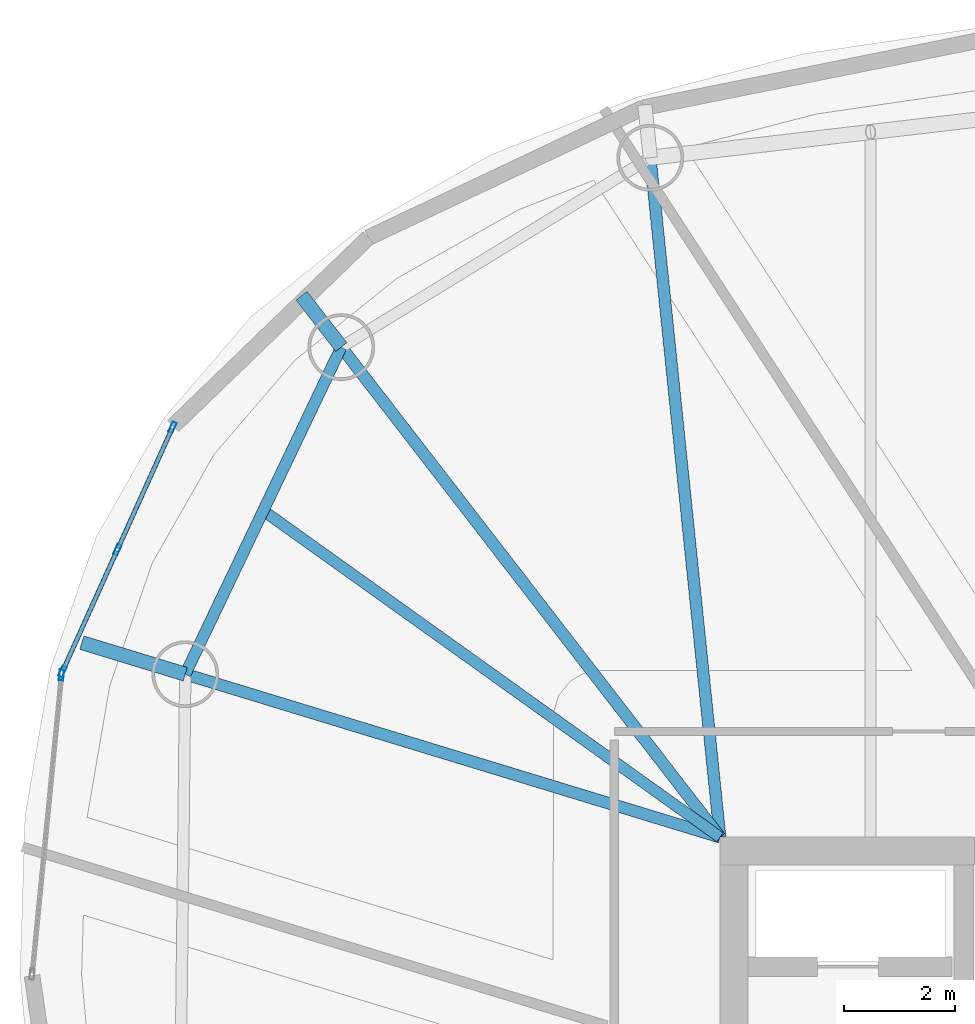
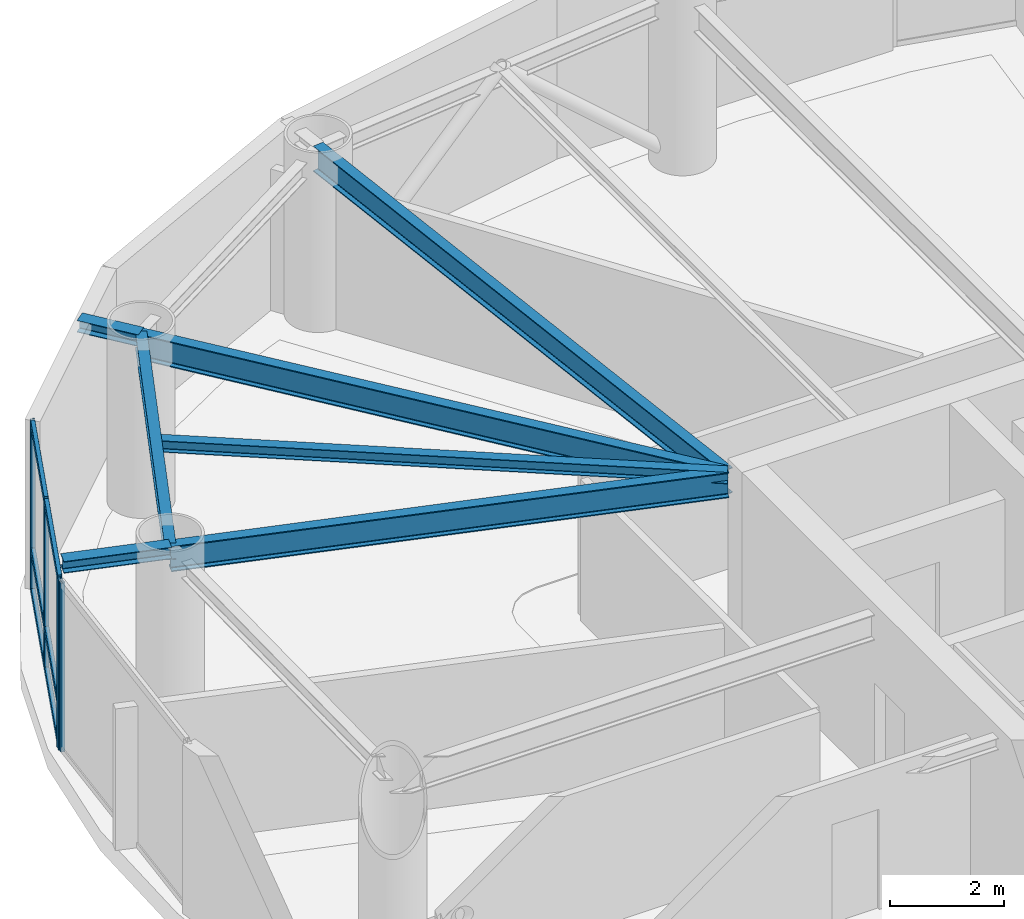
# One storey, part 12 of 25: 10 members, 7 beams, 2 elements without a shape of their own.
"""IFC4 building model written with IfcOpenShell, lengths in metres."""

from ifc_helpers import new_model, si_unit, direction, frame, origin, origin_2d, place, context, subcontext, project, spatial, hollow_rectangle, i_section, extrude, material, layer, layer_set, material_profile, profile_set, type_object, element, aggregate, save


model = new_model("IFC4")

# Units and contexts
model_context = context("Model", 3, precision=1e-05, world=origin(), true_north=direction((0.0, 1.0)))
body_context = subcontext(model_context, "Body", "Model", "MODEL_VIEW")
ifc_project = project(units=[si_unit("LENGTHUNIT", "METRE"), si_unit("AREAUNIT", "SQUARE_METRE"), si_unit("VOLUMEUNIT", "CUBIC_METRE"), si_unit("PLANEANGLEUNIT", "RADIAN"), si_unit("MASSUNIT", "GRAM", prefix="KILO")], contexts=[model_context])

# Site, building, storey
site_placement = place(None, origin())
site = spatial("IfcSite", under=ifc_project, at=site_placement, CompositionType="ELEMENT")
building_placement = place(site_placement, origin())
building = spatial("IfcBuilding", under=site, at=building_placement, Name="Bramvorn Convention Spire", CompositionType="ELEMENT")
storey_placement = place(building_placement, frame((0.0, 0.0, 171.199951171875)))
storey = spatial("IfcBuildingStorey", under=building, at=storey_placement, Name="L43", CompositionType="ELEMENT", Elevation=171.199951171875)

# Beams
ifc_material_1 = material(Name="Steel CSA G40.21 Grade 350 (350W)", Category="steel")
ifc_material_profile_1 = material_profile(ifc_material_1, i_section(OverallWidth=0.201904296875, OverallDepth=0.2470703125, WebThickness=0.00732421875, FlangeThickness=0.010986328125, FilletRadius=0.011962890625, at=origin_2d()))
ifc_profile_set_1 = profile_set([ifc_material_profile_1], Name="Steel CSA G40.21 Grade 350 (350W) - W250X49")
beam_type_1 = type_object("IfcBeamType", Name="BM-W250X49", PredefinedType="JOIST", material=ifc_profile_set_1)
beam_1_placement = place(storey_placement, frame((26.75, 33.449951171875, 3.49658203125), z_axis=(-0.813471895271, 0.581604225916, 0.0), x_axis=(-0.581604225916, -0.813471895271, 0.0)))
element("IfcBeam", 1, at=beam_1_placement, inside=storey, type_object=beam_type_1, Name="L43 composite floor joist 09", PredefinedType="JOIST", context=body_context, shape_type="SweptSolid", body=[
    extrude(i_section(OverallWidth=0.201904296875, OverallDepth=0.2470703125, WebThickness=0.00732421875, FlangeThickness=0.010986328125, FilletRadius=0.011962890625, at=origin_2d()), origin(), (0.0, 0.0, 1.0), 10.093505859375),
])
ifc_material_profile_2 = material_profile(ifc_material_1, i_section(OverallWidth=0.25390625, OverallDepth=0.2529296875, WebThickness=0.008544921875, FlangeThickness=0.01416015625, FilletRadius=0.011962890625, at=origin_2d()))
ifc_profile_set_2 = profile_set([ifc_material_profile_2], Name="Steel CSA G40.21 Grade 350 (350W) - W250X73")
beam_type_2 = type_object("IfcBeamType", Name="BM-W250X73", PredefinedType="BEAM", material=ifc_profile_set_2)
beam_2_placement = place(storey_placement, frame((19.941650390625, 42.260009765625, 3.49365234375), z_axis=(-0.611560710035, 0.791197508806, 0.0), x_axis=(-0.791197508806, -0.611560710035, 0.0)))
element("IfcBeam", 2, at=beam_2_placement, inside=storey, type_object=beam_type_2, Name="L43 slab-edge cantilever tip beam MC09", PredefinedType="BEAM", context=body_context, shape_type="SweptSolid", body=[
    extrude(i_section(OverallWidth=0.25390625, OverallDepth=0.2529296875, WebThickness=0.008544921875, FlangeThickness=0.01416015625, FilletRadius=0.011962890625, at=origin_2d()), origin(), (0.0, 0.0, 1.0), 1.166015625),
])
beam_3_placement = place(storey_placement, frame((17.136962890625, 36.380615234375, 3.49365234375), z_axis=(-0.956565816429, 0.291516446945, 0.0), x_axis=(-0.291516446945, -0.956565816429, 0.0)))
element("IfcBeam", 3, at=beam_3_placement, inside=storey, type_object=beam_type_2, Name="L43 slab-edge cantilever tip beam MC10", PredefinedType="BEAM", context=body_context, shape_type="SweptSolid", body=[
    extrude(i_section(OverallWidth=0.25390625, OverallDepth=0.2529296875, WebThickness=0.008544921875, FlangeThickness=0.01416015625, FilletRadius=0.011962890625, at=origin_2d()), origin(), (0.0, 0.0, 1.0), 1.94384765625),
])
ifc_material_profile_3 = material_profile(ifc_material_1, i_section(OverallWidth=0.205078125, OverallDepth=0.35400390625, WebThickness=0.009521484375, FlangeThickness=0.016845703125, FilletRadius=0.014892578125, at=origin_2d()))
ifc_profile_set_3 = profile_set([ifc_material_profile_3], Name="Steel CSA G40.21 Grade 350 (350W) - W360X79")
beam_type_3 = type_object("IfcBeamType", Name="BM-W360X79", PredefinedType="JOIST", material=ifc_profile_set_3)
beam_4_placement = place(storey_placement, frame((19.941650390625, 42.260009765625, 3.443115234375), z_axis=(-0.430556138422, -0.902563799223, 0.0), x_axis=(0.902563799223, -0.430556138422, 0.0)))
element("IfcBeam", 4, at=beam_4_placement, inside=storey, type_object=beam_type_3, Name="L43 mega-column ring beam 09", PredefinedType="JOIST", context=body_context, shape_type="SweptSolid", body=[
    extrude(i_section(OverallWidth=0.205078125, OverallDepth=0.35400390625, WebThickness=0.009521484375, FlangeThickness=0.016845703125, FilletRadius=0.014892578125, at=origin_2d()), origin(), (0.0, 0.0, 1.0), 6.51416015625),
])
ifc_material_profile_4 = material_profile(ifc_material_1, i_section(OverallWidth=0.2119140625, OverallDepth=0.5439453125, WebThickness=0.01318359375, FlangeThickness=0.021240234375, FilletRadius=0.01904296875, at=origin_2d()))
ifc_profile_set_4 = profile_set([ifc_material_profile_4], Name="Steel CSA G40.21 Grade 350 (350W) - W530X123")
beam_type_4 = type_object("IfcBeamType", Name="BM-W530X123", PredefinedType="BEAM", material=ifc_profile_set_4)
beam_5_placement = place(storey_placement, frame((26.75, 33.449951171875, 3.34814453125), z_axis=(-0.10216509146, 0.994767457292, 0.0), x_axis=(-0.994767457292, -0.10216509146, 0.0)))
element("IfcBeam", 5, at=beam_5_placement, inside=storey, type_object=beam_type_4, Name="L43 radial floor girder MC08", PredefinedType="BEAM", context=body_context, shape_type="SweptSolid", body=[
    extrude(i_section(OverallWidth=0.2119140625, OverallDepth=0.5439453125, WebThickness=0.01318359375, FlangeThickness=0.021240234375, FilletRadius=0.01904296875, at=origin_2d()), origin(), (0.0, 0.0, 1.0), 12.278076171875),
])
beam_6_placement = place(storey_placement, frame((26.75, 33.449951171875, 3.34814453125), z_axis=(-0.611479951477, 0.791259925019, 0.0), x_axis=(-0.791259925019, -0.611479951477, 0.0)))
element("IfcBeam", 6, at=beam_6_placement, inside=storey, type_object=beam_type_4, Name="L43 radial floor girder MC09", PredefinedType="BEAM", context=body_context, shape_type="SweptSolid", body=[
    extrude(i_section(OverallWidth=0.2119140625, OverallDepth=0.5439453125, WebThickness=0.01318359375, FlangeThickness=0.021240234375, FilletRadius=0.01904296875, at=origin_2d()), origin(), (0.0, 0.0, 1.0), 11.13427734375),
])
beam_7_placement = place(storey_placement, frame((26.75, 33.449951171875, 3.34814453125), z_axis=(-0.95653637984, 0.291613021044, 0.0), x_axis=(-0.291613021044, -0.95653637984, 0.0)))
element("IfcBeam", 7, at=beam_7_placement, inside=storey, type_object=beam_type_4, Name="L43 radial floor girder MC10", PredefinedType="BEAM", context=body_context, shape_type="SweptSolid", body=[
    extrude(i_section(OverallWidth=0.2119140625, OverallDepth=0.5439453125, WebThickness=0.01318359375, FlangeThickness=0.021240234375, FilletRadius=0.01904296875, at=origin_2d()), origin(), (0.0, 0.0, 1.0), 10.0498046875),
])

# Curtain wall, members
ifc_material_2 = material(Name="Anodised Bronze Unitised Curtain Wall", Category="aluminium")
ifc_layer = layer(ifc_material_2, 0.179931640625)
ifc_layer_set = layer_set([ifc_layer], Name="Anodised Bronze Unitised Curtain Wall - CW-OFF-FRIT")
curtain_wall_type = type_object("IfcCurtainWallType", Name="CW-OFF-FRIT", PredefinedType="USERDEFINED", material=ifc_layer_set)
curtain_wall_1_placement = place(storey_placement, origin())
curtain_wall_1 = element("IfcCurtainWall", 8, at=curtain_wall_1_placement, inside=storey, type_object=curtain_wall_type, Name="L43 fritted glass curtain wall 13", ObjectType="UNITISED CURTAIN WALL", PredefinedType="USERDEFINED")
ifc_material_3 = material(Name="Anodised Bronze Aluminium 6063-T6", Category="aluminium")
ifc_material_profile_5 = material_profile(ifc_material_3, hollow_rectangle(XDim=0.080078125, YDim=0.199951171875, WallThickness=0.00390625, InnerFilletRadius=0.0009765625, OuterFilletRadius=0.00390625, at=origin_2d()))
ifc_profile_set_5 = profile_set([ifc_material_profile_5], Name="Anodised Bronze Aluminium 6063-T6 - CWM80X200")
member_type_1 = type_object("IfcMemberType", Name="CW-MUL-180", PredefinedType="MULLION", material=ifc_profile_set_5)
member_1_placement = place(storey_placement, frame((14.927978515625, 36.424560546875, 0.0), z_axis=(0.0, 0.0, 1.0), x_axis=(-0.911526619589, 0.411241075015, 0.0)))
member_1 = element("IfcMember", 9, at=member_1_placement, type_object=member_type_1, Name="CW3 mullion 1", PredefinedType="MULLION", context=body_context, shape_type="SweptSolid", body=[
    extrude(hollow_rectangle(XDim=0.080078125, YDim=0.199951171875, WallThickness=0.00390625, InnerFilletRadius=0.0009765625, OuterFilletRadius=0.00390625, at=origin_2d()), origin(), (0.0, 0.0, 1.0), 3.6201171875),
])
member_2_placement = place(storey_placement, frame((15.91845703125, 38.61962890625, 0.0), z_axis=(0.0, 0.0, 1.0), x_axis=(-0.911526619589, 0.411241075015, 0.0)))
member_2 = element("IfcMember", 10, at=member_2_placement, type_object=member_type_1, Name="CW3 mullion 2", PredefinedType="MULLION", context=body_context, shape_type="SweptSolid", body=[
    extrude(hollow_rectangle(XDim=0.080078125, YDim=0.199951171875, WallThickness=0.00390625, InnerFilletRadius=0.0009765625, OuterFilletRadius=0.00390625, at=origin_2d()), origin(), (0.0, 0.0, 1.0), 3.6201171875),
])
member_3_placement = place(storey_placement, frame((16.90869140625, 40.814697265625, 0.0), z_axis=(0.0, 0.0, 1.0), x_axis=(-0.911526619589, 0.411241075015, 0.0)))
member_3 = element("IfcMember", 11, at=member_3_placement, type_object=member_type_1, Name="CW3 mullion 3", PredefinedType="MULLION", context=body_context, shape_type="SweptSolid", body=[
    extrude(hollow_rectangle(XDim=0.080078125, YDim=0.199951171875, WallThickness=0.00390625, InnerFilletRadius=0.0009765625, OuterFilletRadius=0.00390625, at=origin_2d()), origin(), (0.0, 0.0, 1.0), 3.6201171875),
])

# Curtain wall, member
curtain_wall_2_placement = place(storey_placement, origin())
curtain_wall_2 = element("IfcCurtainWall", 12, at=curtain_wall_2_placement, inside=storey, type_object=curtain_wall_type, Name="L43 fritted glass curtain wall 14", ObjectType="UNITISED CURTAIN WALL", PredefinedType="USERDEFINED")
member_4_placement = place(storey_placement, frame((14.912841796875, 36.367431640625, 0.0), z_axis=(0.0, 0.0, 1.0), x_axis=(-0.995233610911, 0.097519535036, 0.0)))
member_4 = element("IfcMember", 13, at=member_4_placement, type_object=member_type_1, Name="CW3 mullion 2", PredefinedType="MULLION", context=body_context, shape_type="SweptSolid", body=[
    extrude(hollow_rectangle(XDim=0.080078125, YDim=0.199951171875, WallThickness=0.00390625, InnerFilletRadius=0.0009765625, OuterFilletRadius=0.00390625, at=origin_2d()), origin(), (0.0, 0.0, 1.0), 3.6201171875),
])
aggregate(curtain_wall_2, [member_4])

# Member
ifc_material_profile_6 = material_profile(ifc_material_3, hollow_rectangle(XDim=0.080078125, YDim=0.159912109375, WallThickness=0.00390625, InnerFilletRadius=0.0009765625, OuterFilletRadius=0.00390625, at=origin_2d()))
ifc_profile_set_6 = profile_set([ifc_material_profile_6], Name="Anodised Bronze Aluminium 6063-T6 - CWT80X160")
member_type_2 = type_object("IfcMemberType", Name="CW-TRN-150", PredefinedType="USERDEFINED", material=ifc_profile_set_6)
member_5_placement = place(storey_placement, frame((14.9404296875, 36.451904296875, 0.030029296875), z_axis=(0.41121617522, 0.911537852883, 0.0), x_axis=(-0.911537852883, 0.41121617522, 0.0)))
member_5 = element("IfcMember", 14, at=member_5_placement, type_object=member_type_2, Name="CW3 transom 1.1", ObjectType="TRANSOM", PredefinedType="USERDEFINED", context=body_context, shape_type="SweptSolid", body=[
    extrude(hollow_rectangle(XDim=0.080078125, YDim=0.159912109375, WallThickness=0.00390625, InnerFilletRadius=0.0009765625, OuterFilletRadius=0.00390625, at=origin_2d()), origin(), (0.0, 0.0, 1.0), 2.34814453125),
])

member_6_placement = place(storey_placement, frame((14.9404296875, 36.451904296875, 0.900146484375), z_axis=(0.41121617522, 0.911537852883, 0.0), x_axis=(-0.911537852883, 0.41121617522, 0.0)))
member_6 = element("IfcMember", 15, at=member_6_placement, type_object=member_type_2, Name="CW3 transom 1.2", ObjectType="TRANSOM", PredefinedType="USERDEFINED", context=body_context, shape_type="SweptSolid", body=[
    extrude(hollow_rectangle(XDim=0.080078125, YDim=0.159912109375, WallThickness=0.00390625, InnerFilletRadius=0.0009765625, OuterFilletRadius=0.00390625, at=origin_2d()), origin(), (0.0, 0.0, 1.0), 2.34814453125),
])

member_7_placement = place(storey_placement, frame((14.9404296875, 36.451904296875, 3.590087890625), z_axis=(0.41121617522, 0.911537852883, 0.0), x_axis=(-0.911537852883, 0.41121617522, 0.0)))
member_7 = element("IfcMember", 16, at=member_7_placement, type_object=member_type_2, Name="CW3 transom 1.3", ObjectType="TRANSOM", PredefinedType="USERDEFINED", context=body_context, shape_type="SweptSolid", body=[
    extrude(hollow_rectangle(XDim=0.080078125, YDim=0.159912109375, WallThickness=0.00390625, InnerFilletRadius=0.0009765625, OuterFilletRadius=0.00390625, at=origin_2d()), origin(), (0.0, 0.0, 1.0), 2.34814453125),
])

member_8_placement = place(storey_placement, frame((15.9306640625, 38.64697265625, 0.030029296875), z_axis=(0.41121617522, 0.911537852883, 0.0), x_axis=(-0.911537852883, 0.41121617522, 0.0)))
member_8 = element("IfcMember", 17, at=member_8_placement, type_object=member_type_2, Name="CW3 transom 2.1", ObjectType="TRANSOM", PredefinedType="USERDEFINED", context=body_context, shape_type="SweptSolid", body=[
    extrude(hollow_rectangle(XDim=0.080078125, YDim=0.159912109375, WallThickness=0.00390625, InnerFilletRadius=0.0009765625, OuterFilletRadius=0.00390625, at=origin_2d()), origin(), (0.0, 0.0, 1.0), 2.34814453125),
])

member_9_placement = place(storey_placement, frame((15.9306640625, 38.64697265625, 0.900146484375), z_axis=(0.41121617522, 0.911537852883, 0.0), x_axis=(-0.911537852883, 0.41121617522, 0.0)))
member_9 = element("IfcMember", 18, at=member_9_placement, type_object=member_type_2, Name="CW3 transom 2.2", ObjectType="TRANSOM", PredefinedType="USERDEFINED", context=body_context, shape_type="SweptSolid", body=[
    extrude(hollow_rectangle(XDim=0.080078125, YDim=0.159912109375, WallThickness=0.00390625, InnerFilletRadius=0.0009765625, OuterFilletRadius=0.00390625, at=origin_2d()), origin(), (0.0, 0.0, 1.0), 2.34814453125),
])

member_10_placement = place(storey_placement, frame((15.9306640625, 38.64697265625, 3.590087890625), z_axis=(0.41121617522, 0.911537852883, 0.0), x_axis=(-0.911537852883, 0.41121617522, 0.0)))
member_10 = element("IfcMember", 19, at=member_10_placement, type_object=member_type_2, Name="CW3 transom 2.3", ObjectType="TRANSOM", PredefinedType="USERDEFINED", context=body_context, shape_type="SweptSolid", body=[
    extrude(hollow_rectangle(XDim=0.080078125, YDim=0.159912109375, WallThickness=0.00390625, InnerFilletRadius=0.0009765625, OuterFilletRadius=0.00390625, at=origin_2d()), origin(), (0.0, 0.0, 1.0), 2.34814453125),
])

aggregate(curtain_wall_1, [member_1, member_2, member_3, member_5, member_6, member_7, member_8, member_9, member_10])

save(model, "model.ifc")
